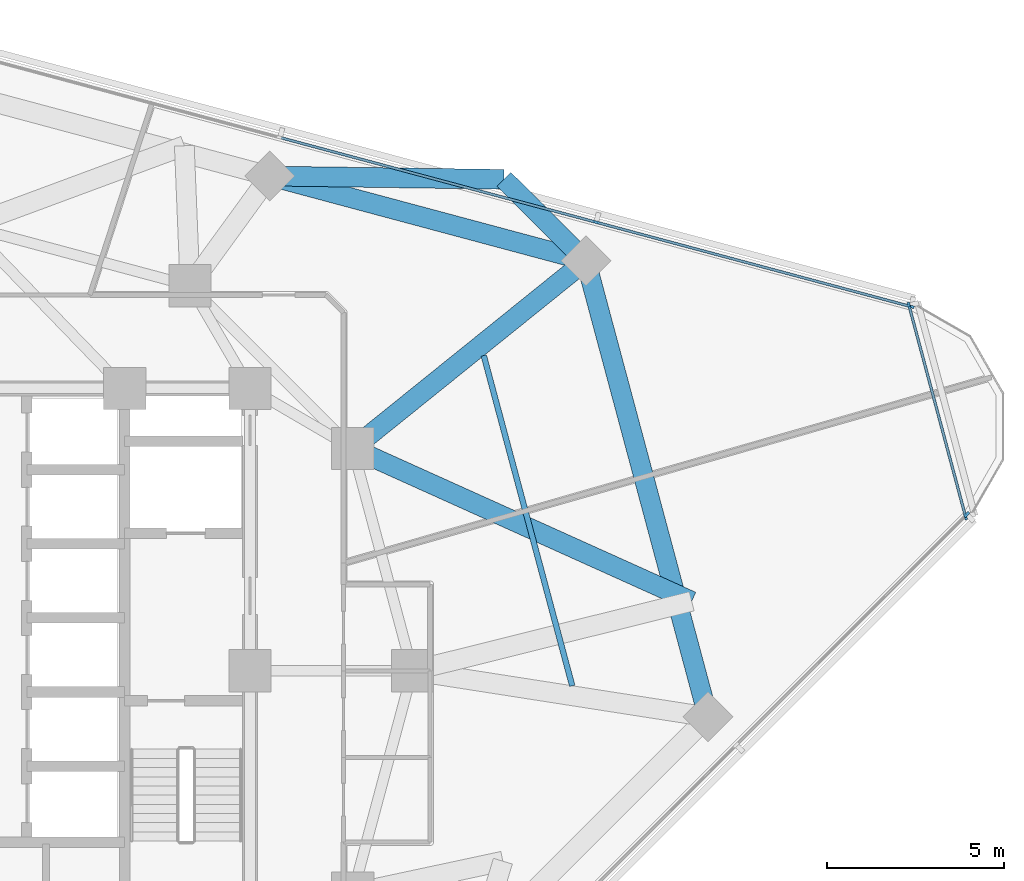
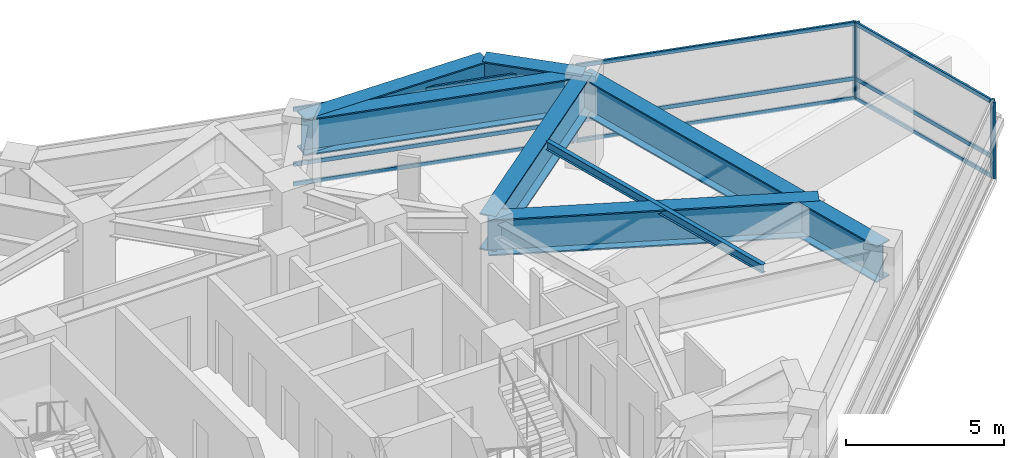
# One storey, part 6 of 15: 14 members, 7 beams, 3 elements without a shape of their own.
"""IFC4 building model written with IfcOpenShell, lengths in metres."""

from ifc_helpers import new_model, si_unit, direction, frame, origin, origin_2d, place, context, subcontext, project, spatial, rectangle, i_section, extrude, material, layer, layer_set, material_profile, profile_set, type_object, element, aggregate, save


model = new_model("IFC4")

# Units and contexts
model_context = context("Model", 3, precision=1e-05, world=origin(), true_north=direction((0.0, 1.0)))
body_context = subcontext(model_context, "Body", "Model", "MODEL_VIEW")
ifc_project = project(units=[si_unit("LENGTHUNIT", "METRE"), si_unit("AREAUNIT", "SQUARE_METRE"), si_unit("VOLUMEUNIT", "CUBIC_METRE"), si_unit("PLANEANGLEUNIT", "RADIAN"), si_unit("MASSUNIT", "GRAM", prefix="KILO")], contexts=[model_context])

# Site, building, storey
site_placement = place(None, origin())
site = spatial("IfcSite", under=ifc_project, at=site_placement, CompositionType="ELEMENT")
building_placement = place(site_placement, origin())
building = spatial("IfcBuilding", under=site, at=building_placement, Name="Terralouvre Media Tower", CompositionType="ELEMENT")
storey_placement = place(building_placement, frame((0.0, 0.0, 210.10009765625)))
storey = spatial("IfcBuildingStorey", under=building, at=storey_placement, Name="L54", CompositionType="ELEMENT", Elevation=210.10009765625)

# Beam
ifc_material_1 = material(Name="Structural steel S355J2", Category="steel")
ifc_material_profile_1 = material_profile(ifc_material_1, i_section(OverallWidth=0.159912109375, OverallDepth=0.330078125, WebThickness=0.007568359375, FlangeThickness=0.011474609375, at=origin_2d()), Name="IPE 330")
ifc_profile_set_1 = profile_set([ifc_material_profile_1], Name="Structural steel S355J2")
beam_type_1 = type_object("IfcBeamType", Name="Composite Floor Joist J-IPE330 (IPE 330)", PredefinedType="JOIST", material=ifc_profile_set_1)
beam_1_placement = place(storey_placement, frame((17.126708984375, -0.423828125, 3.294921875), z_axis=(-0.258807912201, 0.965928809272, 0.0), x_axis=(-0.965928809272, -0.258807912201, 0.0)))
element("IfcBeam", 1, at=beam_1_placement, inside=storey, type_object=beam_type_1, Name="L54 Framing Beam JT-L54-03", PredefinedType="JOIST", context=body_context, shape_type="SweptSolid", body=[
    extrude(i_section(OverallWidth=0.159912109375, OverallDepth=0.330078125, WebThickness=0.007568359375, FlangeThickness=0.011474609375, at=origin_2d()), origin(), (0.0, 0.0, 1.0), 9.68408203125),
])

# Curtain wall, members
ifc_material_2 = material(Name="Low-iron laminated double glazing with solar-control coating", Category="glass")
ifc_layer_1 = layer(ifc_material_2, 0.1650390625, Name="Production Studio Tower Curtain Wall CW-03")
ifc_layer_set_1 = layer_set([ifc_layer_1], Name="Low-iron laminated double glazing with solar-control coating")
curtain_wall_type_1 = type_object("IfcCurtainWallType", Name="Production Studio Tower Curtain Wall CW-03", PredefinedType="NOTDEFINED", material=ifc_layer_set_1)
curtain_wall_1_placement = place(storey_placement, origin())
curtain_wall_1 = element("IfcCurtainWall", 2, at=curtain_wall_1_placement, inside=storey, type_object=curtain_wall_type_1, Name="L54 Facade Curtain Wall F1", PredefinedType="NOTDEFINED")
ifc_material_3 = material(Name="Anodised extruded aluminium 6063-T6", Category="aluminium")
ifc_material_profile_2 = material_profile(ifc_material_3, rectangle(XDim=0.074951171875, YDim=0.14990234375, at=origin_2d()), Name="ALU 75x150")
ifc_profile_set_2 = profile_set([ifc_material_profile_2], Name="Anodised extruded aluminium 6063-T6")
member_type_1 = type_object("IfcMemberType", Name="Curtain-Wall Horizontal Transom TR-150", PredefinedType="USERDEFINED", material=ifc_profile_set_2)
member_1_placement = place(storey_placement, frame((26.687255859375, 10.32763671875, 0.037353515625), z_axis=(-0.965927230856, 0.25881380313, 0.0), x_axis=(-0.25881380313, -0.965927230856, 0.0)))
member_1 = element("IfcMember", 3, at=member_1_placement, type_object=member_type_1, Name="CW-03 transom 1.1", ObjectType="TRANSOM", PredefinedType="USERDEFINED", context=body_context, shape_type="SweptSolid", body=[
    extrude(rectangle(XDim=0.074951171875, YDim=0.14990234375, at=origin_2d()), origin(), (0.0, 0.0, 1.0), 9.159423828125),
])
member_2_placement = place(storey_placement, frame((26.687255859375, 10.32763671875, 0.7998046875), z_axis=(-0.965927230856, 0.25881380313, 0.0), x_axis=(-0.25881380313, -0.965927230856, 0.0)))
member_2 = element("IfcMember", 4, at=member_2_placement, type_object=member_type_1, Name="CW-03 transom 1.2", ObjectType="TRANSOM", PredefinedType="USERDEFINED", context=body_context, shape_type="SweptSolid", body=[
    extrude(rectangle(XDim=0.074951171875, YDim=0.14990234375, at=origin_2d()), origin(), (0.0, 0.0, 1.0), 9.159423828125),
])
member_3_placement = place(storey_placement, frame((26.687255859375, 10.32763671875, 2.92236328125), z_axis=(-0.965927230856, 0.25881380313, 0.0), x_axis=(-0.25881380313, -0.965927230856, 0.0)))
member_3 = element("IfcMember", 5, at=member_3_placement, type_object=member_type_1, Name="CW-03 transom 1.3", ObjectType="TRANSOM", PredefinedType="USERDEFINED", context=body_context, shape_type="SweptSolid", body=[
    extrude(rectangle(XDim=0.074951171875, YDim=0.14990234375, at=origin_2d()), origin(), (0.0, 0.0, 1.0), 9.159423828125),
])
member_4_placement = place(storey_placement, frame((17.767578125, 12.7177734375, 0.037353515625), z_axis=(-0.965926723605, 0.25881569625, 0.0), x_axis=(-0.25881569625, -0.965926723605, 0.0)))
member_4 = element("IfcMember", 6, at=member_4_placement, type_object=member_type_1, Name="CW-03 transom 2.1", ObjectType="TRANSOM", PredefinedType="USERDEFINED", context=body_context, shape_type="SweptSolid", body=[
    extrude(rectangle(XDim=0.074951171875, YDim=0.14990234375, at=origin_2d()), origin(), (0.0, 0.0, 1.0), 9.197265625),
])
member_5_placement = place(storey_placement, frame((17.767578125, 12.7177734375, 0.7998046875), z_axis=(-0.965926723605, 0.25881569625, 0.0), x_axis=(-0.25881569625, -0.965926723605, 0.0)))
member_5 = element("IfcMember", 7, at=member_5_placement, type_object=member_type_1, Name="CW-03 transom 2.2", ObjectType="TRANSOM", PredefinedType="USERDEFINED", context=body_context, shape_type="SweptSolid", body=[
    extrude(rectangle(XDim=0.074951171875, YDim=0.14990234375, at=origin_2d()), origin(), (0.0, 0.0, 1.0), 9.197265625),
])
member_6_placement = place(storey_placement, frame((17.767578125, 12.7177734375, 2.92236328125), z_axis=(-0.965926723605, 0.25881569625, 0.0), x_axis=(-0.25881569625, -0.965926723605, 0.0)))
member_6 = element("IfcMember", 8, at=member_6_placement, type_object=member_type_1, Name="CW-03 transom 2.3", ObjectType="TRANSOM", PredefinedType="USERDEFINED", context=body_context, shape_type="SweptSolid", body=[
    extrude(rectangle(XDim=0.074951171875, YDim=0.14990234375, at=origin_2d()), origin(), (0.0, 0.0, 1.0), 9.197265625),
])

ifc_material_4 = material(Name="Low-iron laminated double glazing with solar-control coating", Category="glass")
ifc_layer_2 = layer(ifc_material_4, 0.1650390625, Name="Rounded Wind-Corner Curved Glazing CW-04")
ifc_layer_set_2 = layer_set([ifc_layer_2], Name="Low-iron laminated double glazing with solar-control coating")
curtain_wall_type_2 = type_object("IfcCurtainWallType", Name="Rounded Wind-Corner Curved Glazing CW-04", PredefinedType="NOTDEFINED", material=ifc_layer_set_2)
curtain_wall_2_placement = place(storey_placement, origin())
curtain_wall_2 = element("IfcCurtainWall", 9, at=curtain_wall_2_placement, inside=storey, type_object=curtain_wall_type_2, Name="L54 Rounded Wind-Corner Curtain Wall C1", PredefinedType="NOTDEFINED")
member_7_placement = place(storey_placement, frame((28.259033203125, 4.404052734375, 0.037353515625), z_axis=(-0.25882448687, 0.965924368155, 0.0), x_axis=(-0.965924368155, -0.25882448687, 0.0)))
member_7 = element("IfcMember", 10, at=member_7_placement, type_object=member_type_1, Name="CW-04 transom 1.1", ObjectType="TRANSOM", PredefinedType="USERDEFINED", context=body_context, shape_type="SweptSolid", body=[
    extrude(rectangle(XDim=0.074951171875, YDim=0.14990234375, at=origin_2d()), origin(), (0.0, 0.0, 1.0), 6.119873046875),
])
member_8_placement = place(storey_placement, frame((28.259033203125, 4.404052734375, 0.7998046875), z_axis=(-0.25882448687, 0.965924368155, 0.0), x_axis=(-0.965924368155, -0.25882448687, 0.0)))
member_8 = element("IfcMember", 11, at=member_8_placement, type_object=member_type_1, Name="CW-04 transom 1.2", ObjectType="TRANSOM", PredefinedType="USERDEFINED", context=body_context, shape_type="SweptSolid", body=[
    extrude(rectangle(XDim=0.074951171875, YDim=0.14990234375, at=origin_2d()), origin(), (0.0, 0.0, 1.0), 6.119873046875),
])
member_9_placement = place(storey_placement, frame((28.259033203125, 4.404052734375, 2.92236328125), z_axis=(-0.25882448687, 0.965924368155, 0.0), x_axis=(-0.965924368155, -0.25882448687, 0.0)))
member_9 = element("IfcMember", 12, at=member_9_placement, type_object=member_type_1, Name="CW-04 transom 1.3", ObjectType="TRANSOM", PredefinedType="USERDEFINED", context=body_context, shape_type="SweptSolid", body=[
    extrude(rectangle(XDim=0.074951171875, YDim=0.14990234375, at=origin_2d()), origin(), (0.0, 0.0, 1.0), 6.119873046875),
])

# Curtain wall, member
curtain_wall_3_placement = place(storey_placement, origin())
curtain_wall_3 = element("IfcCurtainWall", 13, at=curtain_wall_3_placement, inside=storey, type_object=curtain_wall_type_1, Name="L54 Facade Curtain Wall F0", PredefinedType="NOTDEFINED")
ifc_material_5 = material(Name="Anodised extruded aluminium 6063-T6", Category="aluminium")
ifc_material_profile_3 = material_profile(ifc_material_5, rectangle(XDim=0.074951171875, YDim=0.179931640625, at=origin_2d()), Name="ALU 75x180")
ifc_profile_set_3 = profile_set([ifc_material_profile_3], Name="Anodised extruded aluminium 6063-T6")
member_type_2 = type_object("IfcMemberType", Name="Curtain-Wall Vertical Mullion ML-180", PredefinedType="MULLION", material=ifc_profile_set_3)
member_10_placement = place(storey_placement, frame((28.30224609375, 4.42626953125, 0.0), z_axis=(0.0, 0.0, 1.0), x_axis=(-0.707106781187, 0.707106781187, 0.0)))
member_10 = element("IfcMember", 14, at=member_10_placement, type_object=member_type_2, Name="CW-03 mullion 6", PredefinedType="MULLION", context=body_context, shape_type="SweptSolid", body=[
    extrude(rectangle(XDim=0.074951171875, YDim=0.179931640625, at=origin_2d()), origin(), (0.0, 0.0, 1.0), 2.9599609375),
])
aggregate(curtain_wall_3, [member_10])

# Member
member_11_placement = place(storey_placement, frame((26.7236328125, 10.31787109375, 0.0), z_axis=(0.0, 0.0, 1.0), x_axis=(-0.25881903342, -0.96592582942, 0.0)))
member_11 = element("IfcMember", 15, at=member_11_placement, type_object=member_type_2, Name="CW-03 mullion 1", PredefinedType="MULLION", context=body_context, shape_type="SweptSolid", body=[
    extrude(rectangle(XDim=0.074951171875, YDim=0.179931640625, at=origin_2d()), origin(), (0.0, 0.0, 1.0), 2.9599609375),
])

member_12_placement = place(storey_placement, frame((17.8037109375, 12.7080078125, 0.0), z_axis=(0.0, 0.0, 1.0), x_axis=(-0.25881903342, -0.96592582942, 0.0)))
member_12 = element("IfcMember", 16, at=member_12_placement, type_object=member_type_2, Name="CW-03 mullion 2", PredefinedType="MULLION", context=body_context, shape_type="SweptSolid", body=[
    extrude(rectangle(XDim=0.074951171875, YDim=0.179931640625, at=origin_2d()), origin(), (0.0, 0.0, 1.0), 2.9599609375),
])

aggregate(curtain_wall_1, [member_11, member_12, member_1, member_2, member_3, member_4, member_5, member_6])

member_13_placement = place(storey_placement, frame((28.268798828125, 4.367919921875, 0.0), z_axis=(0.0, 0.0, 1.0), x_axis=(-0.965925911218, -0.258818728144, 0.0)))
member_13 = element("IfcMember", 17, at=member_13_placement, type_object=member_type_2, Name="CW-04 mullion 1", PredefinedType="MULLION", context=body_context, shape_type="SweptSolid", body=[
    extrude(rectangle(XDim=0.074951171875, YDim=0.179931640625, at=origin_2d()), origin(), (0.0, 0.0, 1.0), 2.9599609375),
])

member_14_placement = place(storey_placement, frame((26.665283203125, 10.351806640625, 0.0), z_axis=(0.0, 0.0, 1.0), x_axis=(-0.965925911218, -0.258818728144, 0.0)))
member_14 = element("IfcMember", 18, at=member_14_placement, type_object=member_type_2, Name="CW-04 mullion 2", PredefinedType="MULLION", context=body_context, shape_type="SweptSolid", body=[
    extrude(rectangle(XDim=0.074951171875, YDim=0.179931640625, at=origin_2d()), origin(), (0.0, 0.0, 1.0), 2.9599609375),
])

aggregate(curtain_wall_2, [member_13, member_14, member_7, member_8, member_9])

# Beams
ifc_material_6 = material(Name="Structural steel S460M", Category="steel")
ifc_material_profile_4 = material_profile(ifc_material_6, i_section(OverallWidth=0.56005859375, OverallDepth=1.39990234375, WebThickness=0.031982421875, FlangeThickness=0.050048828125, at=origin_2d()), Name="TG 1400x560")
ifc_profile_set_4 = profile_set([ifc_material_profile_4], Name="Structural steel S460M")
beam_type_2 = type_object("IfcBeamType", Name="Welded Transfer Girder TG-1400 (TG 1400x560)", PredefinedType="USERDEFINED", material=ifc_profile_set_4)
beam_2_placement = place(storey_placement, frame((20.973388671875, -1.3046875, 2.760009765625), z_axis=(-0.258815451972, 0.965926789058, 0.0), x_axis=(-0.965926789058, -0.258815451972, 0.0)))
element("IfcBeam", 19, at=beam_2_placement, inside=storey, type_object=beam_type_2, Name="L54 Framing Beam BM-L54-PR06", ObjectType="TRANSFER GIRDER", PredefinedType="USERDEFINED", context=body_context, shape_type="SweptSolid", body=[
    extrude(i_section(OverallWidth=0.56005859375, OverallDepth=1.39990234375, WebThickness=0.031982421875, FlangeThickness=0.050048828125, at=origin_2d()), origin(), (0.0, 0.0, 1.0), 13.376953125),
])
beam_3_placement = place(storey_placement, frame((17.51123046875, 11.616455078125, 2.760009765625), z_axis=(-0.965922193685, 0.258832601786, 0.0), x_axis=(-0.258832601786, -0.965922193685, 0.0)))
element("IfcBeam", 20, at=beam_3_placement, inside=storey, type_object=beam_type_2, Name="L54 Framing Beam BM-L54-PR07", ObjectType="TRANSFER GIRDER", PredefinedType="USERDEFINED", context=body_context, shape_type="SweptSolid", body=[
    extrude(i_section(OverallWidth=0.56005859375, OverallDepth=1.39990234375, WebThickness=0.031982421875, FlangeThickness=0.050048828125, at=origin_2d()), origin(), (0.0, 0.0, 1.0), 9.27197265625),
])
beam_4_placement = place(storey_placement, frame((10.911865234375, 6.300048828125, 2.760009765625), z_axis=(0.778739443649, 0.62734749454, 0.0), x_axis=(-0.62734749454, 0.778739443649, 0.0)))
element("IfcBeam", 21, at=beam_4_placement, inside=storey, type_object=beam_type_2, Name="L54 Framing Beam BM-L54-RD07", ObjectType="TRANSFER GIRDER", PredefinedType="USERDEFINED", context=body_context, shape_type="SweptSolid", body=[
    extrude(i_section(OverallWidth=0.56005859375, OverallDepth=1.39990234375, WebThickness=0.031982421875, FlangeThickness=0.050048828125, at=origin_2d()), origin(), (0.0, 0.0, 1.0), 8.474365234375),
])
beam_5_placement = place(storey_placement, frame((20.51025390625, 1.970703125, 2.760009765625), z_axis=(-0.911563243315, 0.411159887923, 0.0), x_axis=(-0.411159887923, -0.911563243315, 0.0)))
element("IfcBeam", 22, at=beam_5_placement, inside=storey, type_object=beam_type_2, Name="L54 Framing Beam BM-L54-TR04S2", ObjectType="TRANSFER GIRDER", PredefinedType="USERDEFINED", context=body_context, shape_type="SweptSolid", body=[
    extrude(i_section(OverallWidth=0.56005859375, OverallDepth=1.39990234375, WebThickness=0.031982421875, FlangeThickness=0.050048828125, at=origin_2d()), origin(), (0.0, 0.0, 1.0), 10.529541015625),
])
beam_6_placement = place(storey_placement, frame((15.1884765625, 13.92333984375, 2.760009765625), z_axis=(0.70952638246, -0.704678871964, 0.0), x_axis=(0.704678871964, 0.70952638246, 0.0)))
element("IfcBeam", 23, at=beam_6_placement, inside=storey, type_object=beam_type_2, Name="L54 Framing Beam BM-L54-TR05S1", ObjectType="TRANSFER GIRDER", PredefinedType="USERDEFINED", context=body_context, shape_type="SweptSolid", body=[
    extrude(i_section(OverallWidth=0.56005859375, OverallDepth=1.39990234375, WebThickness=0.031982421875, FlangeThickness=0.050048828125, at=origin_2d()), origin(), (0.0, 0.0, 1.0), 3.273681640625),
])
beam_7_placement = place(storey_placement, frame((15.1884765625, 13.92333984375, 2.760009765625), z_axis=(-0.999901694767, 0.014021440769, 0.0), x_axis=(-0.014021440769, -0.999901694767, 0.0)))
element("IfcBeam", 24, at=beam_7_placement, inside=storey, type_object=beam_type_2, Name="L54 Framing Beam BM-L54-TR05S2", ObjectType="TRANSFER GIRDER", PredefinedType="USERDEFINED", context=body_context, shape_type="SweptSolid", body=[
    extrude(i_section(OverallWidth=0.56005859375, OverallDepth=1.39990234375, WebThickness=0.031982421875, FlangeThickness=0.050048828125, at=origin_2d()), origin(), (0.0, 0.0, 1.0), 6.634033203125),
])

save(model, "model.ifc")
